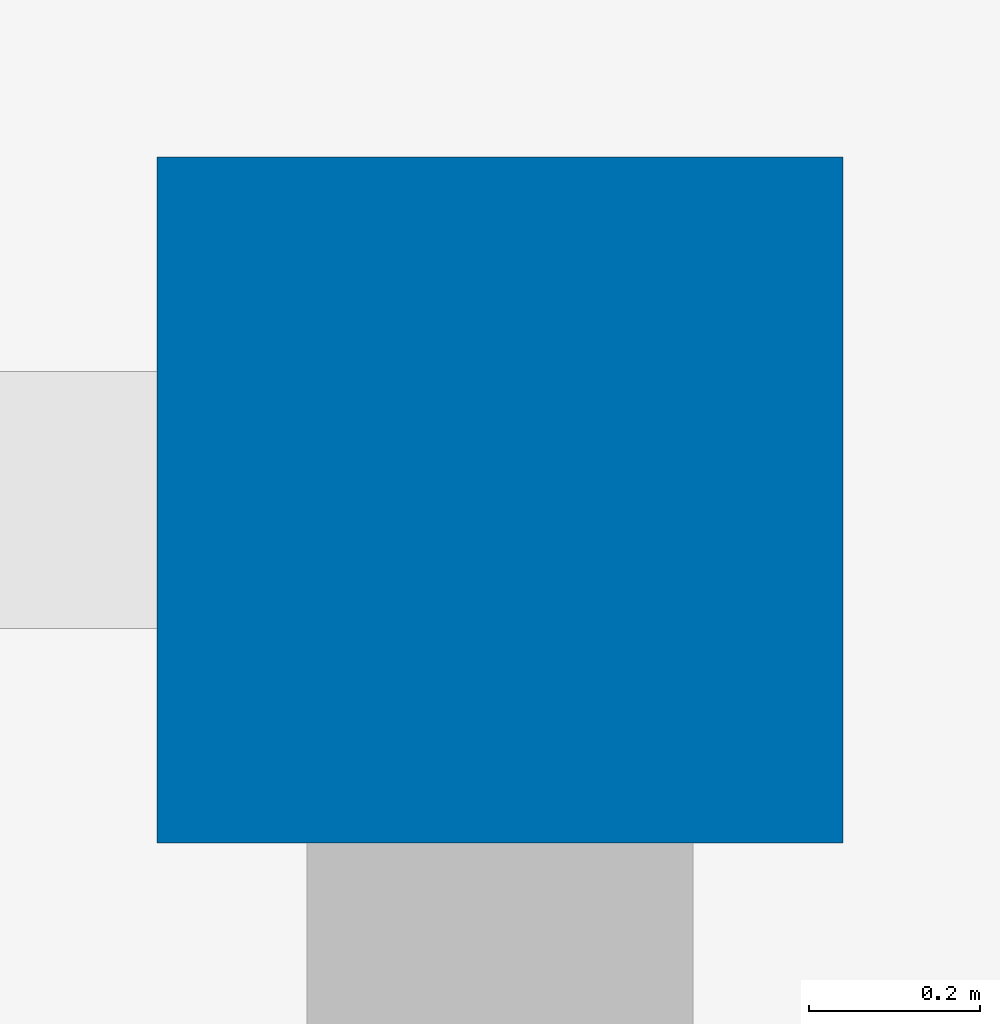
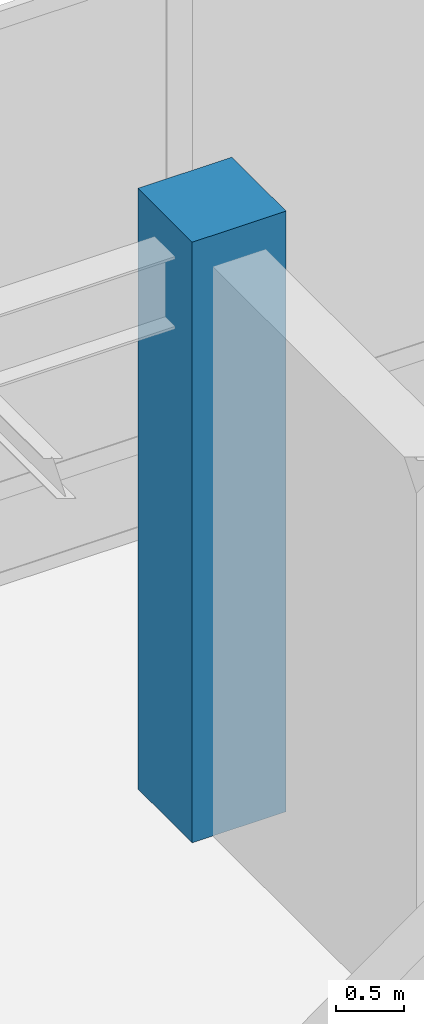
# One storey, part 4 of 30: 1 column.
"""IFC4 building model written with IfcOpenShell, lengths in metres."""

import ifcopenshell
import ifcopenshell.guid

model = None  # the IFC model being written
_history = None  # IfcOwnerHistory: only IFC2X3 demands one
_inside = {}  # id of a spatial element -> (the spatial element, [elements in it])
_under = {}  # id of a project, library or spatial element -> (it, [spatial elements below it])
_declared = {}  # id of a project -> (the project, [libraries it declares])
_typed = {}  # id of a type object -> (the type object, [elements of that type])
_made_of = {}  # id of a material, layer set ... -> (it, [elements and type objects made of it])


def new_model(schema):
    """Start an empty IFC model of exactly this schema.

    Asked for "IFC4X3", IfcOpenShell would pick the latest addendum, in which some entities
    have other attributes; the version numbers below select the first issue.
    IFC2X3 requires an IfcOwnerHistory on every rooted entity: one is made here for all.
    """
    global model, _history
    if schema == "IFC4X3":
        model = ifcopenshell.file(schema_version=(4, 3, 0, 0))
    else:
        model = ifcopenshell.file(schema=schema)
    _inside.clear()
    _under.clear()
    _declared.clear()
    _typed.clear()
    _made_of.clear()
    _history = None
    if model.schema == "IFC2X3":
        org = make("IfcOrganization", Name="unknown")
        user = make(
            "IfcPersonAndOrganization",
            ThePerson=make("IfcPerson", FamilyName="unknown"),
            TheOrganization=org,
        )
        app = make(
            "IfcApplication",
            ApplicationDeveloper=org,
            Version="unknown",
            ApplicationFullName="unknown",
            ApplicationIdentifier="unknown",
        )
        _history = make(
            "IfcOwnerHistory",
            OwningUser=user,
            OwningApplication=app,
            ChangeAction="ADDED",
            CreationDate=0,
        )
    return model


def make(cls, **values):
    """One entity of the class cls with the attributes given. An attribute that is None is left unset."""
    return model.create_entity(
        cls, **{name: value for name, value in values.items() if value is not None}
    )


def rooted(cls, **values):
    """An entity with a GlobalId (a new one), such as an element, a storey or a relation."""
    return make(cls, GlobalId=ifcopenshell.guid.new(), OwnerHistory=_history, **values)


def si_unit(unit_type, name, prefix=None):
    """IfcSIUnit, for example si_unit("LENGTHUNIT", "METRE", prefix="MILLI")."""
    return make("IfcSIUnit", UnitType=unit_type, Prefix=prefix, Name=name)


def assignment(units):
    """IfcUnitAssignment: the units of a project."""
    return None if units is None else make("IfcUnitAssignment", Units=units)


def point(xyz):
    """IfcCartesianPoint."""
    return None if xyz is None else make("IfcCartesianPoint", Coordinates=xyz)


def direction(xyz):
    """IfcDirection."""
    return None if xyz is None else make("IfcDirection", DirectionRatios=xyz)


def frame(location, z_axis=None, x_axis=None):
    """IfcAxis2Placement3D, a coordinate frame: its origin and axes. An axis left out is left unset."""
    return make(
        "IfcAxis2Placement3D",
        Location=point(location),
        Axis=direction(z_axis),
        RefDirection=direction(x_axis),
    )


def frame_2d(location, x_axis=None):
    """IfcAxis2Placement2D, a coordinate frame in the plane: its origin and x axis."""
    return make(
        "IfcAxis2Placement2D", Location=point(location), RefDirection=direction(x_axis)
    )


def origin():
    """The frame at (0, 0, 0) with its axes left unset."""
    return frame((0.0, 0.0, 0.0))


def origin_2d():
    """The frame at (0, 0) in the plane with its x axis left unset."""
    return frame_2d((0.0, 0.0))


def place(relative_to, where):
    """IfcLocalPlacement: puts the frame where relative to a parent placement (None: the world)."""
    return make(
        "IfcLocalPlacement", PlacementRelTo=relative_to, RelativePlacement=where
    )


def context(
    kind, dimensions, precision=None, world=None, true_north=None, identifier=None
):
    """IfcGeometricRepresentationContext, for example the 3D "Model" context."""
    return make(
        "IfcGeometricRepresentationContext",
        ContextIdentifier=identifier,
        ContextType=kind,
        CoordinateSpaceDimension=dimensions,
        Precision=precision,
        WorldCoordinateSystem=world,
        TrueNorth=true_north,
    )


def subcontext(parent, identifier, kind, view, scale=None):
    """IfcGeometricRepresentationSubContext, for example "Body" below "Model"."""
    return make(
        "IfcGeometricRepresentationSubContext",
        ContextIdentifier=identifier,
        ContextType=kind,
        ParentContext=parent,
        TargetScale=scale,
        TargetView=view,
    )


def project(units=None, contexts=None):
    """IfcProject with its units and contexts."""
    return rooted(
        "IfcProject",
        Name="project",
        RepresentationContexts=contexts,
        UnitsInContext=assignment(units),
    )


def spatial(cls, under=None, at=None, **own):
    """A site, building, storey or space (cls), placed at a placement, below another one or the project."""
    s = rooted(cls, ObjectPlacement=at, **own)
    if under is not None:
        _under.setdefault(under.id(), (under, []))[1].append(s)
    return s


def profile(cls, at=None, kind="AREA", **sizes):
    """A parametric profile (cls). Its sizes go by their IFC names, for example OverallWidth=200.0."""
    return make(cls, ProfileType=kind, Position=at, **sizes)


def rectangle(**sizes):
    """IfcRectangleProfileDef."""
    return profile("IfcRectangleProfileDef", **sizes)


def extrude(swept, where, along, depth):
    """IfcExtrudedAreaSolid: the profile swept, set in the frame where, extruded along a direction by depth."""
    return make(
        "IfcExtrudedAreaSolid",
        SweptArea=swept,
        Position=where,
        ExtrudedDirection=direction(along),
        Depth=depth,
    )


def shape(context_of_items, identifier, shape_type, items):
    """IfcShapeRepresentation: the items that make up one representation, for example the "Body"."""
    return make(
        "IfcShapeRepresentation",
        ContextOfItems=context_of_items,
        RepresentationIdentifier=identifier,
        RepresentationType=shape_type,
        Items=items,
    )


def source(mapping_origin, context_of_items, identifier, shape_type, items):
    """IfcRepresentationMap: a shape defined once, which mapped items show again and again."""
    return make(
        "IfcRepresentationMap",
        MappingOrigin=mapping_origin,
        MappedRepresentation=shape(context_of_items, identifier, shape_type, items),
    )


def transform(
    local_origin,
    x_axis=None,
    y_axis=None,
    z_axis=None,
    scale=None,
    scale2=None,
    scale3=None,
    uniform=True,
):
    """IfcCartesianTransformationOperator3D, or its non-uniform kind. x_axis, y_axis, z_axis: its Axis1, 2, 3."""
    if uniform:
        return make(
            "IfcCartesianTransformationOperator3D",
            Axis1=direction(x_axis),
            Axis2=direction(y_axis),
            LocalOrigin=point(local_origin),
            Scale=scale,
            Axis3=direction(z_axis),
        )
    return make(
        "IfcCartesianTransformationOperator3DnonUniform",
        Axis1=direction(x_axis),
        Axis2=direction(y_axis),
        LocalOrigin=point(local_origin),
        Scale=scale,
        Axis3=direction(z_axis),
        Scale2=scale2,
        Scale3=scale3,
    )


def mapped(mapping_source, mapping_target):
    """IfcMappedItem: shows the shape of a source again, moved by a transform."""
    return make(
        "IfcMappedItem", MappingSource=mapping_source, MappingTarget=mapping_target
    )


def material(Name=None, Category=None):
    """IfcMaterial."""
    return make("IfcMaterial", Name=Name, Category=Category)


def material_profile(
    of_material, cross_section, Name=None, Category=None, Priority=None
):
    """IfcMaterialProfile: a cross section and its material."""
    return make(
        "IfcMaterialProfile",
        Name=Name,
        Material=of_material,
        Profile=cross_section,
        Priority=Priority,
        Category=Category,
    )


def profile_set(profiles, Name=None, composite=None):
    """IfcMaterialProfileSet."""
    return make(
        "IfcMaterialProfileSet",
        Name=Name,
        MaterialProfiles=profiles,
        CompositeProfile=composite,
    )


def made_of(thing, what):
    """Note that an element or type object is made of a material, layer set ...; save() writes the relation."""
    if what is not None:
        _made_of.setdefault(what.id(), (what, []))[1].append(thing)
    return thing


def type_object(cls, material=None, **own):
    """A type object (cls), such as IfcWallType, which elements share."""
    return made_of(rooted(cls, **own), material)


def type_shapes(of_type, sources):
    """Give a type object the sources (RepresentationMaps) that its elements show as mapped items."""
    of_type.RepresentationMaps = sources


def element(
    cls,
    number,
    at=None,
    inside=None,
    cuts=None,
    type_object=None,
    material=None,
    context=None,
    identifier="Body",
    shape_type=None,
    held_by="IfcProductDefinitionShape",
    body=None,
    shapes=None,
    **own,
):
    """One element of the class cls, such as IfcWall. Its Tag is "e" and its number.

    at: its placement. inside: the storey or other place that contains it. cuts: it is an
    opening in that element (IfcRelVoidsElement). A single representation is given by context,
    identifier, shape_type and body (its items); several are given by shapes. held_by: the class
    of the entity that holds the representations. save() writes the other relations.
    """
    e = rooted(cls, Tag="e%d" % number, ObjectPlacement=at, **own)
    if body is not None:
        shapes = [shape(context, identifier, shape_type, body)]
    if shapes is not None:
        e.Representation = make(held_by, Representations=shapes)
    if inside is not None:
        _inside.setdefault(inside.id(), (inside, []))[1].append(e)
    if cuts is not None:
        rooted(
            "IfcRelVoidsElement", RelatingBuildingElement=cuts, RelatedOpeningElement=e
        )
    if type_object is not None:
        _typed.setdefault(type_object.id(), (type_object, []))[1].append(e)
    return made_of(e, material)


def aggregate(whole, parts):
    """IfcRelAggregates: a whole, such as a stair, and the parts it consists of."""
    return rooted("IfcRelAggregates", RelatingObject=whole, RelatedObjects=parts)


def save(model, path):
    """Write the relations noted so far, then the file.

    IfcRelAggregates (storeys below a building ...), IfcRelContainedInSpatialStructure (elements
    in a storey), IfcRelDefinesByType, IfcRelAssociatesMaterial and IfcRelDeclares: one each for
    every whole, place, type object, material and project.
    """
    for whole, parts in _under.values():
        aggregate(whole, parts)
    for where, things in _inside.values():
        rooted(
            "IfcRelContainedInSpatialStructure",
            RelatedElements=things,
            RelatingStructure=where,
        )
    for kind, things in _typed.values():
        rooted("IfcRelDefinesByType", RelatedObjects=things, RelatingType=kind)
    for what, things in _made_of.values():
        rooted("IfcRelAssociatesMaterial", RelatedObjects=things, RelatingMaterial=what)
    for by, libraries in _declared.values():
        rooted("IfcRelDeclares", RelatingContext=by, RelatedDefinitions=libraries)
    model.write(path)


model = new_model("IFC4")

# Units and contexts
model_context = context("Model", 3, precision=1e-05, world=origin(), true_north=direction((0.0, 1.0)))
body_context = subcontext(model_context, "Body", "Model", "MODEL_VIEW")
ifc_project = project(units=[si_unit("LENGTHUNIT", "METRE"), si_unit("AREAUNIT", "SQUARE_METRE"), si_unit("VOLUMEUNIT", "CUBIC_METRE"), si_unit("PLANEANGLEUNIT", "RADIAN"), si_unit("MASSUNIT", "GRAM", prefix="KILO")], contexts=[model_context])

# Site, building, storey
site_placement = place(None, origin())
site = spatial("IfcSite", under=ifc_project, at=site_placement, CompositionType="ELEMENT")
building_placement = place(site_placement, origin())
building = spatial("IfcBuilding", under=site, at=building_placement, Name="Haelvirn Gate Laboratories", CompositionType="ELEMENT")
storey_placement = place(building_placement, frame((0.0, 0.0, 327.0)))
storey = spatial("IfcBuildingStorey", under=building, at=storey_placement, Name="L78", CompositionType="ELEMENT", Elevation=327.0)

# Column
ifc_material = material(Name="Concrete C50/60", Category="concrete")
ifc_material_profile = material_profile(ifc_material, rectangle(XDim=0.800048828125, YDim=0.800048828125, at=origin_2d()), Name="RC-800x800")
ifc_profile_set = profile_set([ifc_material_profile], Name="Concrete C50/60")
column_type = type_object("IfcColumnType", Name="COL-RC-800", PredefinedType="COLUMN", material=ifc_profile_set)
shared_shape = source(origin(), body_context, "Body", "SweptSolid", [
    extrude(rectangle(XDim=0.800048828125, YDim=0.800048828125, at=origin_2d()), origin(), (0.0, 0.0, 1.0), 5.39990234375),
])
type_shapes(column_type, [shared_shape])
column_placement = place(storey_placement, frame((60.0, 41.60009765625, 0.0), z_axis=(0.0, 0.0, 1.0), x_axis=(1.0, 0.0, 0.0)))
element("IfcColumn", 1, at=column_placement, inside=storey, type_object=column_type, Name="L78 Column 9G", PredefinedType="COLUMN", context=body_context, shape_type="MappedRepresentation", body=[
    mapped(shared_shape, transform((0.0, 0.0, 0.0), scale=1.0)),
])

save(model, "model.ifc")
